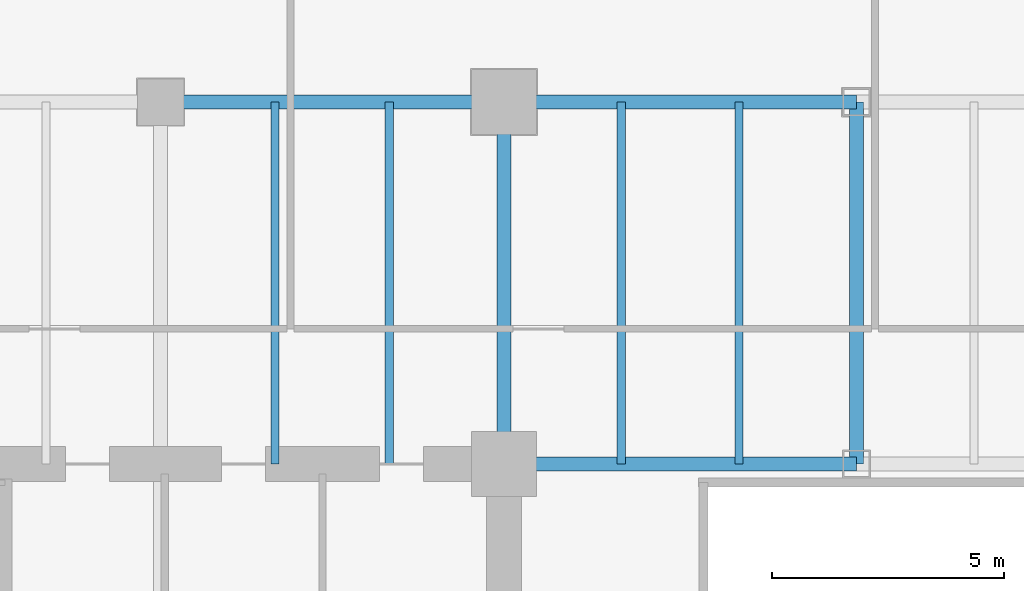
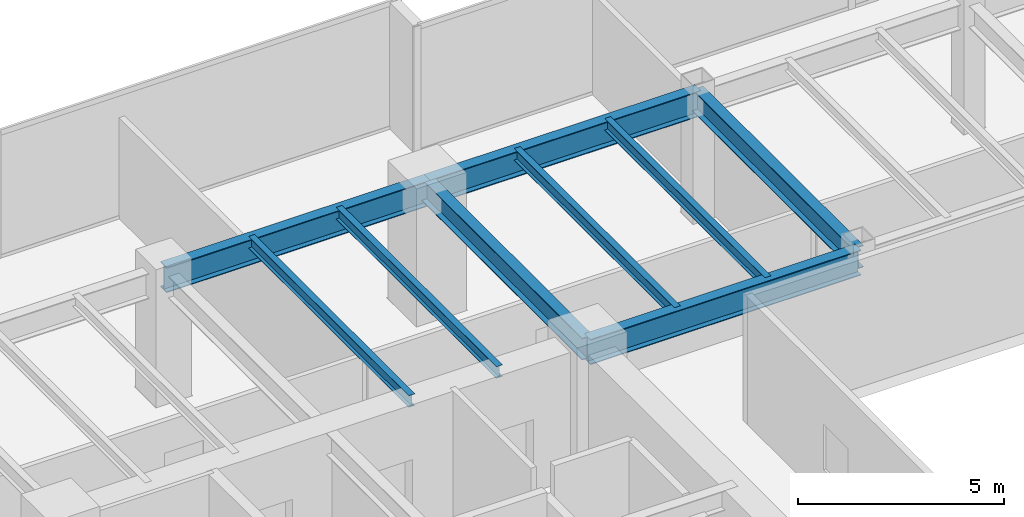
# One storey, part 13 of 37: 9 beams.
"""IFC4 building model written with IfcOpenShell, lengths in metres."""

from ifc_helpers import new_model, si_unit, direction, frame, origin, origin_2d, place, context, subcontext, project, spatial, i_section, extrude, source, transform, mapped, material, material_profile, profile_set, type_object, type_shapes, element, save


model = new_model("IFC4")

# Units and contexts
model_context = context("Model", 3, precision=1e-05, world=origin(), true_north=direction((0.0, 1.0)))
body_context = subcontext(model_context, "Body", "Model", "MODEL_VIEW")
ifc_project = project(units=[si_unit("LENGTHUNIT", "METRE"), si_unit("AREAUNIT", "SQUARE_METRE"), si_unit("VOLUMEUNIT", "CUBIC_METRE"), si_unit("PLANEANGLEUNIT", "RADIAN"), si_unit("MASSUNIT", "GRAM", prefix="KILO")], contexts=[model_context])

# Site, building, storey
site_placement = place(None, origin())
site = spatial("IfcSite", under=ifc_project, at=site_placement, CompositionType="ELEMENT")
building_placement = place(site_placement, origin())
building = spatial("IfcBuilding", under=site, at=building_placement, Name="Haelvirn Gate Laboratories", CompositionType="ELEMENT")
storey_placement = place(building_placement, frame((0.0, 0.0, 78.5)))
storey = spatial("IfcBuildingStorey", under=building, at=storey_placement, Name="L19", CompositionType="ELEMENT", Elevation=78.5)

# Beams
ifc_material = material(Name="Steel SM355", Category="steel")
ifc_material_profile_1 = material_profile(ifc_material, i_section(OverallWidth=0.300048828125, OverallDepth=0.75, WebThickness=0.013916015625, FlangeThickness=0.02392578125, at=origin_2d()), Name="H-750x300x14x24")
ifc_profile_set_1 = profile_set([ifc_material_profile_1], Name="Steel SM355")
beam_type_1 = type_object("IfcBeamType", Name="BM-G-750", PredefinedType="BEAM", material=ifc_profile_set_1)
shared_shape_1 = source(origin(), body_context, "Body", "SweptSolid", [
    extrude(i_section(OverallWidth=0.300048828125, OverallDepth=0.75, WebThickness=0.013916015625, FlangeThickness=0.02392578125, at=origin_2d()), origin(), (0.0, 0.0, 1.0), 7.39990234375),
])
beam_placement = place(storey_placement, frame((14.800048828125, 41.60009765625, 3.405029296875), z_axis=(1.0, 0.0, 0.0), x_axis=(0.0, 1.0, 0.0)))
element("IfcBeam", 1, at=beam_placement, inside=storey, type_object=beam_type_1, Name="L19 Primary Girder Y41.6 (14.8-22.2)", PredefinedType="BEAM", context=body_context, shape_type="MappedRepresentation", body=[
    mapped(shared_shape_1, transform((0.0, 0.0, 0.0), scale=1.0)),
])
shared_shape_2 = source(origin(), body_context, "Body", "SweptSolid", [
    extrude(i_section(OverallWidth=0.300048828125, OverallDepth=0.75, WebThickness=0.013916015625, FlangeThickness=0.02392578125, at=origin_2d()), origin(), (0.0, 0.0, 1.0), 7.60009765625),
])
type_shapes(beam_type_1, [shared_shape_1, shared_shape_2])
for number, where, z_axis, x_axis, name in (
    (2, (22.199951171875, 33.800048828125, 3.405029296875), (1.0, 0.0, 0.0), (0.0, 1.0, 0.0), "L19 Primary Girder Y33.8 (22.2-29.8)"),
    (3, (22.199951171875, 41.60009765625, 3.405029296875), (1.0, 0.0, 0.0), (0.0, 1.0, 0.0), "L19 Primary Girder Y41.6 (22.2-29.8)"),
):
    element("IfcBeam", number, at=place(storey_placement, frame(where, z_axis=z_axis, x_axis=x_axis)), inside=storey, type_object=beam_type_1, Name=name, PredefinedType="BEAM", context=body_context, shape_type="MappedRepresentation", body=[
        mapped(shared_shape_2, transform((0.0, 0.0, 0.0), scale=1.0)),
    ])
ifc_material_profile_2 = material_profile(ifc_material, i_section(OverallWidth=0.175048828125, OverallDepth=0.35009765625, WebThickness=0.007080078125, FlangeThickness=0.010986328125, at=origin_2d()), Name="H-350x175x7x11")
ifc_profile_set_2 = profile_set([ifc_material_profile_2], Name="Steel SM355")
beam_type_2 = type_object("IfcBeamType", Name="BM-J-350", PredefinedType="JOIST", material=ifc_profile_set_2)
shared_shape_3 = source(origin(), body_context, "Body", "SweptSolid", [
    extrude(i_section(OverallWidth=0.175048828125, OverallDepth=0.35009765625, WebThickness=0.007080078125, FlangeThickness=0.010986328125, at=origin_2d()), origin(), (0.0, 0.0, 1.0), 7.800048828125),
])
type_shapes(beam_type_2, [shared_shape_3])
for number, where, z_axis, x_axis, name in (
    (4, (17.27001953125, 33.800048828125, 3.60498046875), (0.0, 1.0, 0.0), (-1.0, 0.0, 0.0), "L19 Composite Lab Joist North X17.27"),
    (5, (19.72998046875, 33.800048828125, 3.60498046875), (0.0, 1.0, 0.0), (-1.0, 0.0, 0.0), "L19 Composite Lab Joist North X19.73"),
    (6, (24.72998046875, 33.800048828125, 3.60498046875), (0.0, 1.0, 0.0), (-1.0, 0.0, 0.0), "L19 Composite Lab Joist North X24.73"),
    (7, (27.27001953125, 33.800048828125, 3.60498046875), (0.0, 1.0, 0.0), (-1.0, 0.0, 0.0), "L19 Composite Lab Joist North X27.27"),
):
    element("IfcBeam", number, at=place(storey_placement, frame(where, z_axis=z_axis, x_axis=x_axis)), inside=storey, type_object=beam_type_2, Name=name, PredefinedType="JOIST", context=body_context, shape_type="MappedRepresentation", body=[
        mapped(shared_shape_3, transform((0.0, 0.0, 0.0), scale=1.0)),
    ])
ifc_material_profile_3 = material_profile(ifc_material, i_section(OverallWidth=0.300048828125, OverallDepth=0.64990234375, WebThickness=0.012939453125, FlangeThickness=0.02197265625, at=origin_2d()), Name="H-650x300x13x22")
ifc_profile_set_3 = profile_set([ifc_material_profile_3], Name="Steel SM355")
beam_type_3 = type_object("IfcBeamType", Name="BM-G-650", PredefinedType="BEAM", material=ifc_profile_set_3)
shared_shape_4 = source(origin(), body_context, "Body", "SweptSolid", [
    extrude(i_section(OverallWidth=0.300048828125, OverallDepth=0.64990234375, WebThickness=0.012939453125, FlangeThickness=0.02197265625, at=origin_2d()), origin(), (0.0, 0.0, 1.0), 7.800048828125),
])
type_shapes(beam_type_3, [shared_shape_4])
for number, where, z_axis, x_axis, name in (
    (8, (22.199951171875, 33.800048828125, 3.455078125), (0.0, 1.0, 0.0), (-1.0, 0.0, 0.0), "L19 Frame Girder X22.2 (33.8-41.6)"),
    (9, (29.800048828125, 33.800048828125, 3.455078125), (0.0, 1.0, 0.0), (-1.0, 0.0, 0.0), "L19 Frame Girder X29.8 (33.8-41.6)"),
):
    element("IfcBeam", number, at=place(storey_placement, frame(where, z_axis=z_axis, x_axis=x_axis)), inside=storey, type_object=beam_type_3, Name=name, PredefinedType="BEAM", context=body_context, shape_type="MappedRepresentation", body=[
        mapped(shared_shape_4, transform((0.0, 0.0, 0.0), scale=1.0)),
    ])

save(model, "model.ifc")
